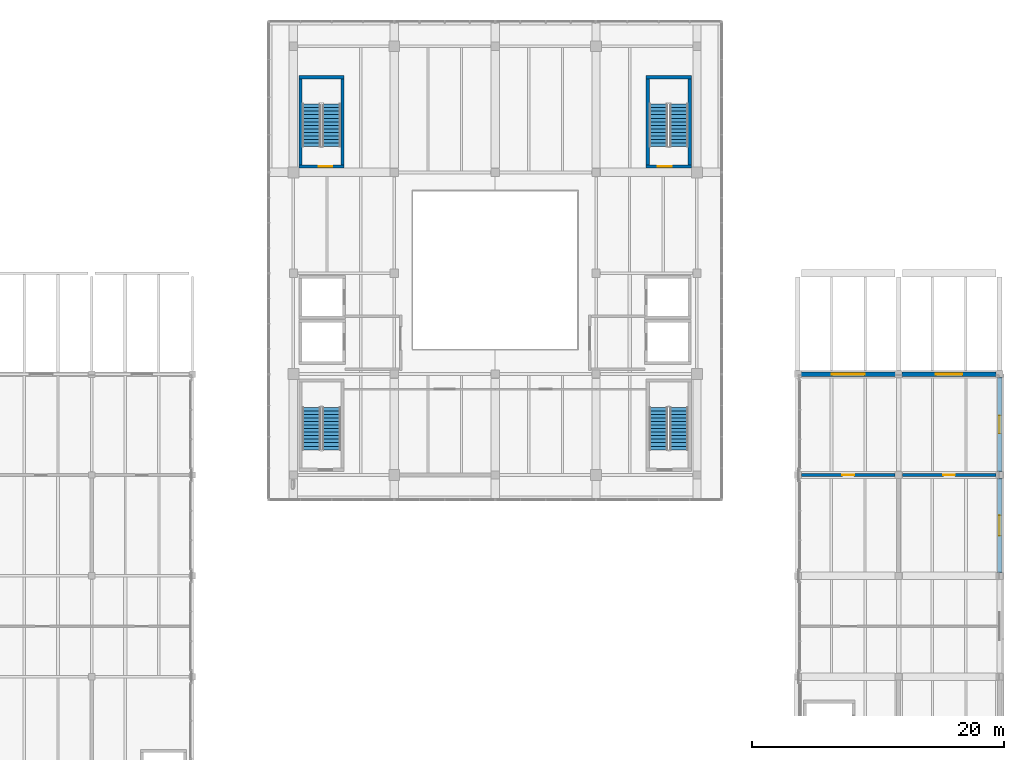
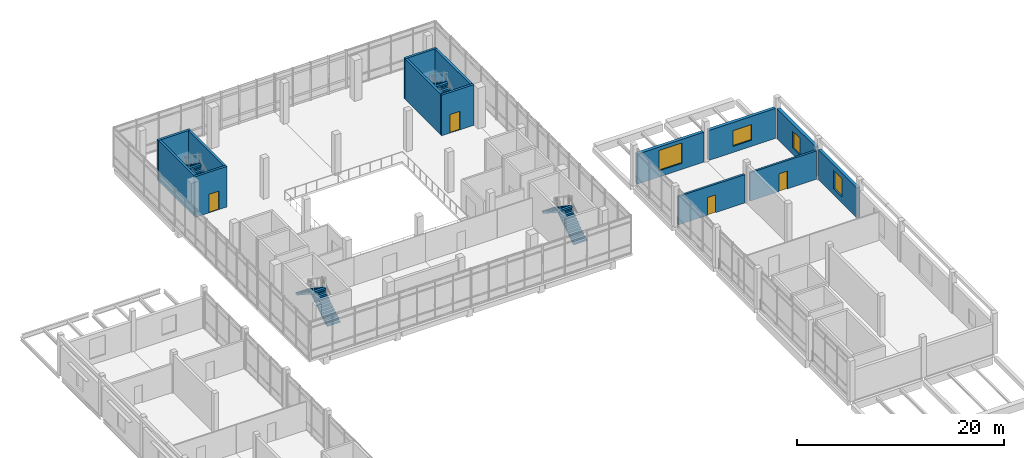
# One storey, part 22 of 28: 14 walls, 8 stair flights, 4 doors, 4 windows, 8 openings, 4 elements without a shape of their own.
"""IFC4 building model written with IfcOpenShell, lengths in metres."""

from ifc_helpers import new_model, si_unit, direction, frame, frame_2d, origin, place, context, subcontext, project, spatial, polyline, rectangle, outline, extrude, material, layer, layer_set, type_object, element, fill, aggregate, save


model = new_model("IFC4")

# Units and contexts
model_context = context("Model", 3, precision=1e-05, world=origin(), true_north=direction((0.0, 1.0)))
body_context = subcontext(model_context, "Body", "Model", "MODEL_VIEW")
ifc_project = project(units=[si_unit("LENGTHUNIT", "METRE"), si_unit("AREAUNIT", "SQUARE_METRE"), si_unit("VOLUMEUNIT", "CUBIC_METRE"), si_unit("PLANEANGLEUNIT", "RADIAN"), si_unit("MASSUNIT", "GRAM", prefix="KILO")], contexts=[model_context])

# Site, building, storey
site_placement = place(None, origin())
site = spatial("IfcSite", under=ifc_project, at=site_placement, CompositionType="ELEMENT")
building_placement = place(site_placement, origin())
building = spatial("IfcBuilding", under=site, at=building_placement, Name="Pecanmere Concourse Central Library", CompositionType="ELEMENT")
storey_placement = place(building_placement, frame((0.0, 0.0, 20.10009765625)))
storey = spatial("IfcBuildingStorey", under=building, at=storey_placement, Name="L05", CompositionType="ELEMENT", Elevation=20.10009765625)

# Wall, opening, window
ifc_material_1 = material(Name="Texas cream limestone ashlar masonry", Category="masonry")
ifc_layer_1 = layer(ifc_material_1, 0.35009765625, Name="EW_LIME_350")
ifc_layer_set_1 = layer_set([ifc_layer_1], Name="Texas cream limestone ashlar masonry")
wall_type_1 = type_object("IfcWallType", Name="EW_LIME_350", PredefinedType="STANDARD", material=ifc_layer_set_1)
wall_1_placement = place(storey_placement, frame((128.0, 82.27001953125, 0.0), z_axis=(0.0, 0.0, 1.0), x_axis=(0.0, 1.0, 0.0)))
wall_1 = element("IfcWall", 1, at=wall_1_placement, inside=storey, type_object=wall_type_1, Name="Limestone Facade Wall L05-0205", PredefinedType="STANDARD", context=body_context, shape_type="SweptSolid", body=[
    extrude(rectangle(XDim=7.4599609375, YDim=0.35009765625, at=frame_2d((3.72998046875, 0.0))), origin(), (0.0, 0.0, 1.0), 3.539794921875),
])
opening_1_placement = place(wall_1_placement, frame((2.929931640625, 0.0, 0.719970703125)))
opening_1 = element("IfcOpeningElement", 2, at=opening_1_placement, cuts=wall_1, Name="Opening WN-06", PredefinedType="OPENING", context=body_context, shape_type="SweptSolid", body=[
    extrude(rectangle(XDim=1.60009765625, YDim=2.199951171875, at=frame_2d((0.800048828125, 1.10009765625))), frame((0.0, 0.18701171875, 0.0), z_axis=(0.0, -1.0, 0.0), x_axis=(1.0, 0.0, 0.0)), (0.0, 0.0, 1.0), 0.3740234375),
])
ifc_material_2 = material(Name="Low-iron clear insulated glazing", Category="glass")
window_type_1 = type_object("IfcWindowType", Name="WIN_1600x2200", PartitioningType="SINGLE_PANEL", PredefinedType="WINDOW", material=ifc_material_2)
window_1_placement = place(opening_1_placement, origin())
window_1 = element("IfcWindow", 3, at=window_1_placement, inside=storey, type_object=window_type_1, Name="WN-174", OverallHeight=2.199951171875, OverallWidth=1.60009765625, PartitioningType="SINGLE_PANEL", PredefinedType="WINDOW", context=body_context, shape_type="SweptSolid", body=[
    extrude(rectangle(XDim=1.60009765625, YDim=2.199951171875, at=frame_2d((0.800048828125, 1.10009765625))), frame((0.0, 0.030029296875, 0.0), z_axis=(0.0, -1.0, 0.0), x_axis=(1.0, 0.0, 0.0)), (0.0, 0.0, 1.0), 0.06005859375),
])
fill(opening_1, window_1)

wall_2_placement = place(storey_placement, frame((128.0, 90.27001953125, 0.0), z_axis=(0.0, 0.0, 1.0), x_axis=(0.0, 1.0, 0.0)))
wall_2 = element("IfcWall", 4, at=wall_2_placement, inside=storey, type_object=wall_type_1, Name="Limestone Facade Wall L05-0207", PredefinedType="STANDARD", context=body_context, shape_type="SweptSolid", body=[
    extrude(rectangle(XDim=7.4599609375, YDim=0.35009765625, at=frame_2d((3.72998046875, 0.0))), origin(), (0.0, 0.0, 1.0), 3.539794921875),
])
opening_2_placement = place(wall_2_placement, frame((3.030029296875, 0.0, 0.719970703125)))
opening_2 = element("IfcOpeningElement", 5, at=opening_2_placement, cuts=wall_2, Name="Opening WN-10", PredefinedType="OPENING", context=body_context, shape_type="SweptSolid", body=[
    extrude(rectangle(XDim=1.39990234375, YDim=2.0, at=frame_2d((0.699951171875, 1.0))), frame((0.0, 0.18701171875, 0.0), z_axis=(0.0, -1.0, 0.0), x_axis=(1.0, 0.0, 0.0)), (0.0, 0.0, 1.0), 0.3740234375),
])
ifc_material_3 = material(Name="Low-iron clear insulated glazing", Category="glass")
window_type_2 = type_object("IfcWindowType", Name="WIN_1400x2000", PartitioningType="SINGLE_PANEL", PredefinedType="WINDOW", material=ifc_material_3)
window_2_placement = place(opening_2_placement, origin())
window_2 = element("IfcWindow", 6, at=window_2_placement, inside=storey, type_object=window_type_2, Name="WN-176", OverallHeight=2.0, OverallWidth=1.39990234375, PartitioningType="SINGLE_PANEL", PredefinedType="WINDOW", context=body_context, shape_type="SweptSolid", body=[
    extrude(rectangle(XDim=1.39990234375, YDim=2.0, at=frame_2d((0.699951171875, 1.0))), frame((0.0, 0.030029296875, 0.0), z_axis=(0.0, -1.0, 0.0), x_axis=(1.0, 0.0, 0.0)), (0.0, 0.0, 1.0), 0.06005859375),
])
fill(opening_2, window_2)

wall_3_placement = place(storey_placement, frame((119.72998046875, 98.0, 0.0), z_axis=(0.0, 0.0, 1.0), x_axis=(-1.0, 0.0, 0.0)))
wall_3 = element("IfcWall", 7, at=wall_3_placement, inside=storey, type_object=wall_type_1, Name="Limestone Facade Wall L05-0210", PredefinedType="STANDARD", context=body_context, shape_type="SweptSolid", body=[
    extrude(rectangle(XDim=7.4599609375, YDim=0.35009765625, at=frame_2d((3.72998046875, 0.0))), origin(), (0.0, 0.0, 1.0), 3.539794921875),
])
opening_3_placement = place(wall_3_placement, frame((2.429931640625, 0.0, 0.719970703125)))
opening_3 = element("IfcOpeningElement", 8, at=opening_3_placement, cuts=wall_3, Name="Opening WN-15", PredefinedType="OPENING", context=body_context, shape_type="SweptSolid", body=[
    extrude(rectangle(XDim=2.60009765625, YDim=2.39990234375, at=frame_2d((1.300048828125, 1.199951171875))), frame((0.0, 0.18701171875, 0.0), z_axis=(0.0, -1.0, 0.0), x_axis=(1.0, 0.0, 0.0)), (0.0, 0.0, 1.0), 0.3740234375),
])
ifc_material_4 = material(Name="Low-iron clear insulated glazing", Category="glass")
window_type_3 = type_object("IfcWindowType", Name="WIN_2600x2400", PartitioningType="SINGLE_PANEL", PredefinedType="WINDOW", material=ifc_material_4)
window_3_placement = place(opening_3_placement, origin())
window_3 = element("IfcWindow", 9, at=window_3_placement, inside=storey, type_object=window_type_3, Name="WN-178", OverallHeight=2.39990234375, OverallWidth=2.60009765625, PartitioningType="SINGLE_PANEL", PredefinedType="WINDOW", context=body_context, shape_type="SweptSolid", body=[
    extrude(rectangle(XDim=2.60009765625, YDim=2.39990234375, at=frame_2d((1.300048828125, 1.199951171875))), frame((0.0, 0.030029296875, 0.0), z_axis=(0.0, -1.0, 0.0), x_axis=(1.0, 0.0, 0.0)), (0.0, 0.0, 1.0), 0.06005859375),
])
fill(opening_3, window_3)

wall_4_placement = place(storey_placement, frame((127.72998046875, 98.0, 0.0), z_axis=(0.0, 0.0, 1.0), x_axis=(-1.0, 0.0, 0.0)))
wall_4 = element("IfcWall", 10, at=wall_4_placement, inside=storey, type_object=wall_type_1, Name="Limestone Facade Wall L05-0212", PredefinedType="STANDARD", context=body_context, shape_type="SweptSolid", body=[
    extrude(rectangle(XDim=7.4599609375, YDim=0.35009765625, at=frame_2d((3.72998046875, 0.0))), origin(), (0.0, 0.0, 1.0), 3.539794921875),
])
opening_4_placement = place(wall_4_placement, frame((2.679931640625, 0.0, 0.719970703125)))
opening_4 = element("IfcOpeningElement", 11, at=opening_4_placement, cuts=wall_4, Name="Opening WN-18", PredefinedType="OPENING", context=body_context, shape_type="SweptSolid", body=[
    extrude(rectangle(XDim=2.10009765625, YDim=1.85009765625, at=frame_2d((1.050048828125, 0.925048828125))), frame((0.0, 0.18701171875, 0.0), z_axis=(0.0, -1.0, 0.0), x_axis=(1.0, 0.0, 0.0)), (0.0, 0.0, 1.0), 0.3740234375),
])
ifc_material_5 = material(Name="Low-iron clear insulated glazing", Category="glass")
window_type_4 = type_object("IfcWindowType", Name="WIN_2100x1850", PartitioningType="SINGLE_PANEL", PredefinedType="WINDOW", material=ifc_material_5)
window_4_placement = place(opening_4_placement, origin())
window_4 = element("IfcWindow", 12, at=window_4_placement, inside=storey, type_object=window_type_4, Name="WN-179", OverallHeight=1.85009765625, OverallWidth=2.10009765625, PartitioningType="SINGLE_PANEL", PredefinedType="WINDOW", context=body_context, shape_type="SweptSolid", body=[
    extrude(rectangle(XDim=2.10009765625, YDim=1.85009765625, at=frame_2d((1.050048828125, 0.925048828125))), frame((0.0, 0.030029296875, 0.0), z_axis=(0.0, -1.0, 0.0), x_axis=(1.0, 0.0, 0.0)), (0.0, 0.0, 1.0), 0.06005859375),
])
fill(opening_4, window_4)

# Wall, opening, door
ifc_material_6 = material(Name="Concrete masonry unit ASTM C90", Category="masonry")
ifc_layer_2 = layer(ifc_material_6, 0.22509765625, Name="IW_PLUMB_225")
ifc_layer_set_2 = layer_set([ifc_layer_2], Name="Concrete masonry unit ASTM C90")
wall_type_2 = type_object("IfcWallType", Name="IW_PLUMB_225", PredefinedType="PARTITIONING", material=ifc_layer_set_2)
wall_5_placement = place(storey_placement, frame((112.284912109375, 90.0, 0.0), z_axis=(0.0, 0.0, 1.0), x_axis=(1.0, 0.0, 0.0)))
wall_5 = element("IfcWall", 13, at=wall_5_placement, inside=storey, type_object=wall_type_2, Name="Interior Partition L05-0208", PredefinedType="PARTITIONING", context=body_context, shape_type="SweptSolid", body=[
    extrude(rectangle(XDim=7.43017578125, YDim=0.22509765625, at=frame_2d((3.715087890625, 0.0))), origin(), (0.0, 0.0, 1.0), 3.349853515625),
])
opening_5_placement = place(wall_5_placement, frame((3.2548828125, 0.0, 0.0)))
opening_5 = element("IfcOpeningElement", 14, at=opening_5_placement, cuts=wall_5, Name="Opening DT-07", PredefinedType="OPENING", context=body_context, shape_type="SweptSolid", body=[
    extrude(rectangle(XDim=0.919921875, YDim=2.10009765625, at=frame_2d((0.4599609375, 1.050048828125))), frame((0.0, 0.12451171875, 0.0), z_axis=(0.0, -1.0, 0.0), x_axis=(1.0, 0.0, 0.0)), (0.0, 0.0, 1.0), 0.2490234375),
])
ifc_material_7 = material(Name="Solid white oak architectural joinery")
door_type_1 = type_object("IfcDoorType", Name="DT-07", OperationType="SINGLE_SWING_LEFT", PredefinedType="DOOR", material=ifc_material_7)
door_1_placement = place(opening_5_placement, frame((0.919921875, 0.0, 0.0), z_axis=(0.0, 0.0, 1.0), x_axis=(-1.0, 0.0, 0.0)))
door_1 = element("IfcDoor", 15, at=door_1_placement, inside=storey, type_object=door_type_1, Name="D-229", OperationType="SINGLE_SWING_LEFT", OverallHeight=2.10009765625, OverallWidth=0.919921875, PredefinedType="DOOR", context=body_context, shape_type="SweptSolid", body=[
    extrude(rectangle(XDim=0.919921875, YDim=2.10009765625, at=frame_2d((0.4599609375, 1.050048828125))), frame((0.0, 0.02490234375, 0.0), z_axis=(0.0, -1.0, 0.0), x_axis=(1.0, 0.0, 0.0)), (0.0, 0.0, 1.0), 0.050048828125),
])
fill(opening_5, door_1)

wall_6_placement = place(storey_placement, frame((120.284912109375, 90.0, 0.0), z_axis=(0.0, 0.0, 1.0), x_axis=(1.0, 0.0, 0.0)))
wall_6 = element("IfcWall", 16, at=wall_6_placement, inside=storey, type_object=wall_type_2, Name="Interior Partition L05-0209", PredefinedType="PARTITIONING", context=body_context, shape_type="SweptSolid", body=[
    extrude(rectangle(XDim=7.43017578125, YDim=0.22509765625, at=frame_2d((3.715087890625, 0.0))), origin(), (0.0, 0.0, 1.0), 3.349853515625),
])
opening_6_placement = place(wall_6_placement, frame((3.2548828125, 0.0, 0.0)))
opening_6 = element("IfcOpeningElement", 17, at=opening_6_placement, cuts=wall_6, Name="Opening DT-08", PredefinedType="OPENING", context=body_context, shape_type="SweptSolid", body=[
    extrude(rectangle(XDim=0.919921875, YDim=2.10009765625, at=frame_2d((0.4599609375, 1.050048828125))), frame((0.0, 0.12451171875, 0.0), z_axis=(0.0, -1.0, 0.0), x_axis=(1.0, 0.0, 0.0)), (0.0, 0.0, 1.0), 0.2490234375),
])
ifc_material_8 = material(Name="Solid white oak architectural joinery")
door_type_2 = type_object("IfcDoorType", Name="DT-08", OperationType="SINGLE_SWING_RIGHT", PredefinedType="DOOR", material=ifc_material_8)
door_2_placement = place(opening_6_placement, origin())
door_2 = element("IfcDoor", 18, at=door_2_placement, inside=storey, type_object=door_type_2, Name="D-230", OperationType="SINGLE_SWING_RIGHT", OverallHeight=2.10009765625, OverallWidth=0.919921875, PredefinedType="DOOR", context=body_context, shape_type="SweptSolid", body=[
    extrude(rectangle(XDim=0.919921875, YDim=2.10009765625, at=frame_2d((0.4599609375, 1.050048828125))), frame((0.0, 0.02490234375, 0.0), z_axis=(0.0, -1.0, 0.0), x_axis=(1.0, 0.0, 0.0)), (0.0, 0.0, 1.0), 0.050048828125),
])
fill(opening_6, door_2)

ifc_material_9 = material(Name="Concrete C40/50", Category="concrete")
ifc_layer_3 = layer(ifc_material_9, 0.260009765625, Name="WALL_SLD_260")
ifc_layer_set_3 = layer_set([ifc_layer_3], Name="Concrete C40/50")
wall_type_3 = type_object("IfcWallType", Name="WALL_SLD_260", PredefinedType="SOLIDWALL", material=ifc_layer_set_3)
wall_7_placement = place(storey_placement, frame((72.43994140625, 114.469970703125, 0.0), z_axis=(0.0, 0.0, 1.0), x_axis=(1.0, 0.0, 0.0)))
wall_7 = element("IfcWall", 19, at=wall_7_placement, inside=storey, type_object=wall_type_3, Name="Core C3 South Wall L05", PredefinedType="SOLIDWALL", context=body_context, shape_type="SweptSolid", body=[
    extrude(rectangle(XDim=3.580078125, YDim=0.260009765625, at=frame_2d((1.7900390625, 0.0))), origin(), (0.0, 0.0, 1.0), 4.7998046875),
])
opening_7_placement = place(wall_7_placement, frame((1.56005859375, 0.0, 0.0)))
opening_7 = element("IfcOpeningElement", 20, at=opening_7_placement, cuts=wall_7, Name="Opening FD-01", PredefinedType="OPENING", context=body_context, shape_type="SweptSolid", body=[
    extrude(rectangle(XDim=1.10009765625, YDim=2.199951171875, at=frame_2d((0.550048828125, 1.10009765625))), frame((0.0, 0.14208984375, 0.0), z_axis=(0.0, -1.0, 0.0), x_axis=(1.0, 0.0, 0.0)), (0.0, 0.0, 1.0), 0.283935546875),
])
ifc_material_10 = material(Name="Painted architectural steel ASTM A36", Category="steel")
door_type_3 = type_object("IfcDoorType", Name="FD-01", OperationType="SINGLE_SWING_LEFT", PredefinedType="DOOR", material=ifc_material_10)
door_3_placement = place(opening_7_placement, origin())
door_3 = element("IfcDoor", 21, at=door_3_placement, inside=storey, type_object=door_type_3, Name="D-022", OperationType="SINGLE_SWING_LEFT", OverallHeight=2.199951171875, OverallWidth=1.10009765625, PredefinedType="DOOR", context=body_context, shape_type="SweptSolid", body=[
    extrude(rectangle(XDim=1.10009765625, YDim=2.199951171875, at=frame_2d((0.550048828125, 1.10009765625))), frame((0.0, 0.02490234375, 0.0), z_axis=(0.0, -1.0, 0.0), x_axis=(1.0, 0.0, 0.0)), (0.0, 0.0, 1.0), 0.050048828125),
])
fill(opening_7, door_3)

# Walls
wall_8_placement = place(storey_placement, frame((72.43994140625, 121.550048828125, 0.0), z_axis=(0.0, 0.0, 1.0), x_axis=(1.0, 0.0, 0.0)))
element("IfcWall", 22, at=wall_8_placement, inside=storey, type_object=wall_type_3, Name="Core C3 North Wall L05", PredefinedType="SOLIDWALL", context=body_context, shape_type="SweptSolid", body=[
    extrude(rectangle(XDim=3.580078125, YDim=0.260009765625, at=frame_2d((1.7900390625, 0.0))), origin(), (0.0, 0.0, 1.0), 4.7998046875),
])
for number, where, z_axis, x_axis, name in (
    (23, (72.570068359375, 114.60009765625, 0.0), (0.0, 0.0, 1.0), (0.0, 1.0, 0.0), "Core C3 W Wall L05"),
    (24, (75.889892578125, 114.60009765625, 0.0), (0.0, 0.0, 1.0), (0.0, 1.0, 0.0), "Core C3 E Wall L05"),
):
    element("IfcWall", number, at=place(storey_placement, frame(where, z_axis=z_axis, x_axis=x_axis)), inside=storey, type_object=wall_type_3, Name=name, PredefinedType="SOLIDWALL", context=body_context, shape_type="SweptSolid", body=[
        extrude(rectangle(XDim=6.81982421875, YDim=0.260009765625, at=frame_2d((3.409912109375, 0.0))), origin(), (0.0, 0.0, 1.0), 4.7998046875),
    ])

# Wall, opening, door
wall_9_placement = place(storey_placement, frame((99.97998046875, 114.469970703125, 0.0), z_axis=(0.0, 0.0, 1.0), x_axis=(1.0, 0.0, 0.0)))
wall_9 = element("IfcWall", 25, at=wall_9_placement, inside=storey, type_object=wall_type_3, Name="Core C4 South Wall L05", PredefinedType="SOLIDWALL", context=body_context, shape_type="SweptSolid", body=[
    extrude(rectangle(XDim=3.580078125, YDim=0.260009765625, at=frame_2d((1.7900390625, 0.0))), origin(), (0.0, 0.0, 1.0), 4.7998046875),
])
opening_8_placement = place(wall_9_placement, frame((0.919921875, 0.0, 0.0)))
opening_8 = element("IfcOpeningElement", 26, at=opening_8_placement, cuts=wall_9, Name="Opening FD-02", PredefinedType="OPENING", context=body_context, shape_type="SweptSolid", body=[
    extrude(rectangle(XDim=1.10009765625, YDim=2.199951171875, at=frame_2d((0.550048828125, 1.10009765625))), frame((0.0, 0.14208984375, 0.0), z_axis=(0.0, -1.0, 0.0), x_axis=(1.0, 0.0, 0.0)), (0.0, 0.0, 1.0), 0.283935546875),
])
ifc_material_11 = material(Name="Painted architectural steel ASTM A36", Category="steel")
door_type_4 = type_object("IfcDoorType", Name="FD-02", OperationType="SINGLE_SWING_RIGHT", PredefinedType="DOOR", material=ifc_material_11)
door_4_placement = place(opening_8_placement, origin())
door_4 = element("IfcDoor", 27, at=door_4_placement, inside=storey, type_object=door_type_4, Name="D-030", OperationType="SINGLE_SWING_RIGHT", OverallHeight=2.199951171875, OverallWidth=1.10009765625, PredefinedType="DOOR", context=body_context, shape_type="SweptSolid", body=[
    extrude(rectangle(XDim=1.10009765625, YDim=2.199951171875, at=frame_2d((0.550048828125, 1.10009765625))), frame((0.0, 0.02490234375, 0.0), z_axis=(0.0, -1.0, 0.0), x_axis=(1.0, 0.0, 0.0)), (0.0, 0.0, 1.0), 0.050048828125),
])
fill(opening_8, door_4)

# Walls
wall_10_placement = place(storey_placement, frame((99.97998046875, 121.550048828125, 0.0), z_axis=(0.0, 0.0, 1.0), x_axis=(1.0, 0.0, 0.0)))
element("IfcWall", 28, at=wall_10_placement, inside=storey, type_object=wall_type_3, Name="Core C4 North Wall L05", PredefinedType="SOLIDWALL", context=body_context, shape_type="SweptSolid", body=[
    extrude(rectangle(XDim=3.580078125, YDim=0.260009765625, at=frame_2d((1.7900390625, 0.0))), origin(), (0.0, 0.0, 1.0), 4.7998046875),
])
for number, where, z_axis, x_axis, name in (
    (29, (100.110107421875, 114.60009765625, 0.0), (0.0, 0.0, 1.0), (0.0, 1.0, 0.0), "Core C4 W Wall L05"),
    (30, (103.429931640625, 114.60009765625, 0.0), (0.0, 0.0, 1.0), (0.0, 1.0, 0.0), "Core C4 E Wall L05"),
):
    element("IfcWall", number, at=place(storey_placement, frame(where, z_axis=z_axis, x_axis=x_axis)), inside=storey, type_object=wall_type_3, Name=name, PredefinedType="SOLIDWALL", context=body_context, shape_type="SweptSolid", body=[
        extrude(rectangle(XDim=6.81982421875, YDim=0.260009765625, at=frame_2d((3.409912109375, 0.0))), origin(), (0.0, 0.0, 1.0), 4.7998046875),
    ])

# Stair, stair flights
ifc_material_12 = material(Name="Concrete C35/45", Category="concrete")
stair_type_1 = type_object("IfcStairType", Name="STAIR_TYPE_ST-01-1846", PredefinedType="USERDEFINED", material=ifc_material_12)
stair_1_placement = place(storey_placement, origin())
stair_1 = element("IfcStair", 31, at=stair_1_placement, inside=storey, type_object=stair_type_1, Name="L05 Protected Stair ST-01", ObjectType="TWO_RETURN_STAIR", PredefinedType="USERDEFINED")
ifc_material_13 = material(Name="Concrete C35/45", Category="concrete")
stair_flight_type = type_object("IfcStairFlightType", Name="FLIGHT_TYPE_SFL-145-1846", PredefinedType="STRAIGHT", material=ifc_material_13)
stair_flight_1_placement = place(storey_placement, frame((75.034912109375, 92.0, 0.0), z_axis=(0.0, 0.0, 1.0), x_axis=(0.0, 1.0, 0.0)))
stair_flight_1 = element("IfcStairFlight", 32, at=stair_flight_1_placement, type_object=stair_flight_type, Name="ST-01-1846 flight 1", NumberOfRisers=13, NumberOfTreads=12, PredefinedType="STRAIGHT", RiserHeight=0.184615385, TreadLength=0.28, context=body_context, shape_type="SweptSolid", body=[
    extrude(outline(polyline([(0.0, 0.0), (0.0, 0.1845703125), (0.280029296875, 0.1845703125), (0.280029296875, 0.369140625), (0.56005859375, 0.369140625), (0.56005859375, 0.553955078125), (0.840087890625, 0.553955078125), (0.840087890625, 0.738525390625), (1.1201171875, 0.738525390625), (1.1201171875, 0.923095703125), (1.39990234375, 0.923095703125), (1.39990234375, 1.107666015625), (1.679931640625, 1.107666015625), (1.679931640625, 1.292236328125), (1.9599609375, 1.292236328125), (1.9599609375, 1.476806640625), (2.239990234375, 1.476806640625), (2.239990234375, 1.66162109375), (2.52001953125, 1.66162109375), (2.52001953125, 1.84619140625), (2.800048828125, 1.84619140625), (2.800048828125, 2.03076171875), (3.080078125, 2.03076171875), (3.080078125, 2.21533203125), (3.360107421875, 2.21533203125), (3.360107421875, 2.39990234375), (3.360107421875, 2.02392578125), (0.29052734375, 0.0), (0.0, 0.0)])), frame((0.0, 0.72509765625, 0.0), z_axis=(0.0, -1.0, 0.0), x_axis=(1.0, 0.0, 0.0)), (0.0, 0.0, 1.0), 1.449951171875),
])
stair_flight_2_placement = place(storey_placement, frame((73.425048828125, 95.360107421875, 2.39990234375), z_axis=(0.0, 0.0, 1.0), x_axis=(0.0, -1.0, 0.0)))
stair_flight_2 = element("IfcStairFlight", 33, at=stair_flight_2_placement, type_object=stair_flight_type, Name="ST-01-1846 flight 2", NumberOfRisers=13, NumberOfTreads=12, PredefinedType="STRAIGHT", RiserHeight=0.184615385, TreadLength=0.28, context=body_context, shape_type="SweptSolid", body=[
    extrude(outline(polyline([(0.0, 0.0), (0.0, 0.1845703125), (0.280029296875, 0.1845703125), (0.280029296875, 0.369140625), (0.56005859375, 0.369140625), (0.56005859375, 0.553955078125), (0.840087890625, 0.553955078125), (0.840087890625, 0.738525390625), (1.1201171875, 0.738525390625), (1.1201171875, 0.923095703125), (1.39990234375, 0.923095703125), (1.39990234375, 1.107666015625), (1.679931640625, 1.107666015625), (1.679931640625, 1.292236328125), (1.9599609375, 1.292236328125), (1.9599609375, 1.476806640625), (2.239990234375, 1.476806640625), (2.239990234375, 1.66162109375), (2.52001953125, 1.66162109375), (2.52001953125, 1.84619140625), (2.800048828125, 1.84619140625), (2.800048828125, 2.03076171875), (3.080078125, 2.03076171875), (3.080078125, 2.21533203125), (3.360107421875, 2.21533203125), (3.360107421875, 2.39990234375), (3.360107421875, 2.02392578125), (0.29052734375, 0.0), (0.0, 0.0)])), frame((0.0, 0.72509765625, 0.0), z_axis=(0.0, -1.0, 0.0), x_axis=(1.0, 0.0, 0.0)), (0.0, 0.0, 1.0), 1.449951171875),
])
aggregate(stair_1, [stair_flight_1, stair_flight_2])

ifc_material_14 = material(Name="Concrete C35/45", Category="concrete")
stair_type_2 = type_object("IfcStairType", Name="STAIR_TYPE_ST-02-1846", PredefinedType="USERDEFINED", material=ifc_material_14)
stair_2_placement = place(storey_placement, origin())
stair_2 = element("IfcStair", 34, at=stair_2_placement, inside=storey, type_object=stair_type_2, Name="L05 Protected Stair ST-02", ObjectType="TWO_RETURN_STAIR", PredefinedType="USERDEFINED")
stair_flight_3_placement = place(storey_placement, frame((102.574951171875, 92.0, 0.0), z_axis=(0.0, 0.0, 1.0), x_axis=(0.0, 1.0, 0.0)))
stair_flight_3 = element("IfcStairFlight", 35, at=stair_flight_3_placement, type_object=stair_flight_type, Name="ST-02-1846 flight 1", NumberOfRisers=13, NumberOfTreads=12, PredefinedType="STRAIGHT", RiserHeight=0.184615385, TreadLength=0.28, context=body_context, shape_type="SweptSolid", body=[
    extrude(outline(polyline([(0.0, 0.0), (0.0, 0.1845703125), (0.280029296875, 0.1845703125), (0.280029296875, 0.369140625), (0.56005859375, 0.369140625), (0.56005859375, 0.553955078125), (0.840087890625, 0.553955078125), (0.840087890625, 0.738525390625), (1.1201171875, 0.738525390625), (1.1201171875, 0.923095703125), (1.39990234375, 0.923095703125), (1.39990234375, 1.107666015625), (1.679931640625, 1.107666015625), (1.679931640625, 1.292236328125), (1.9599609375, 1.292236328125), (1.9599609375, 1.476806640625), (2.239990234375, 1.476806640625), (2.239990234375, 1.66162109375), (2.52001953125, 1.66162109375), (2.52001953125, 1.84619140625), (2.800048828125, 1.84619140625), (2.800048828125, 2.03076171875), (3.080078125, 2.03076171875), (3.080078125, 2.21533203125), (3.360107421875, 2.21533203125), (3.360107421875, 2.39990234375), (3.360107421875, 2.02392578125), (0.29052734375, 0.0), (0.0, 0.0)])), frame((0.0, 0.72509765625, 0.0), z_axis=(0.0, -1.0, 0.0), x_axis=(1.0, 0.0, 0.0)), (0.0, 0.0, 1.0), 1.449951171875),
])
stair_flight_4_placement = place(storey_placement, frame((100.965087890625, 95.360107421875, 2.39990234375), z_axis=(0.0, 0.0, 1.0), x_axis=(0.0, -1.0, 0.0)))
stair_flight_4 = element("IfcStairFlight", 36, at=stair_flight_4_placement, type_object=stair_flight_type, Name="ST-02-1846 flight 2", NumberOfRisers=13, NumberOfTreads=12, PredefinedType="STRAIGHT", RiserHeight=0.184615385, TreadLength=0.28, context=body_context, shape_type="SweptSolid", body=[
    extrude(outline(polyline([(0.0, 0.0), (0.0, 0.1845703125), (0.280029296875, 0.1845703125), (0.280029296875, 0.369140625), (0.56005859375, 0.369140625), (0.56005859375, 0.553955078125), (0.840087890625, 0.553955078125), (0.840087890625, 0.738525390625), (1.1201171875, 0.738525390625), (1.1201171875, 0.923095703125), (1.39990234375, 0.923095703125), (1.39990234375, 1.107666015625), (1.679931640625, 1.107666015625), (1.679931640625, 1.292236328125), (1.9599609375, 1.292236328125), (1.9599609375, 1.476806640625), (2.239990234375, 1.476806640625), (2.239990234375, 1.66162109375), (2.52001953125, 1.66162109375), (2.52001953125, 1.84619140625), (2.800048828125, 1.84619140625), (2.800048828125, 2.03076171875), (3.080078125, 2.03076171875), (3.080078125, 2.21533203125), (3.360107421875, 2.21533203125), (3.360107421875, 2.39990234375), (3.360107421875, 2.02392578125), (0.29052734375, 0.0), (0.0, 0.0)])), frame((0.0, 0.72509765625, 0.0), z_axis=(0.0, -1.0, 0.0), x_axis=(1.0, 0.0, 0.0)), (0.0, 0.0, 1.0), 1.449951171875),
])
aggregate(stair_2, [stair_flight_3, stair_flight_4])

ifc_material_15 = material(Name="Concrete C35/45", Category="concrete")
stair_type_3 = type_object("IfcStairType", Name="STAIR_TYPE_ST-03-1846", PredefinedType="USERDEFINED", material=ifc_material_15)
stair_3_placement = place(storey_placement, origin())
stair_3 = element("IfcStair", 37, at=stair_3_placement, inside=storey, type_object=stair_type_3, Name="L05 Protected Stair ST-03", ObjectType="TWO_RETURN_STAIR", PredefinedType="USERDEFINED")
stair_flight_5_placement = place(storey_placement, frame((75.034912109375, 116.050048828125, 0.0), z_axis=(0.0, 0.0, 1.0), x_axis=(0.0, 1.0, 0.0)))
stair_flight_5 = element("IfcStairFlight", 38, at=stair_flight_5_placement, type_object=stair_flight_type, Name="ST-03-1846 flight 1", NumberOfRisers=13, NumberOfTreads=12, PredefinedType="STRAIGHT", RiserHeight=0.184615385, TreadLength=0.28, context=body_context, shape_type="SweptSolid", body=[
    extrude(outline(polyline([(0.0, 0.0), (0.0, 0.1845703125), (0.280029296875, 0.1845703125), (0.280029296875, 0.369140625), (0.56005859375, 0.369140625), (0.56005859375, 0.553955078125), (0.840087890625, 0.553955078125), (0.840087890625, 0.738525390625), (1.1201171875, 0.738525390625), (1.1201171875, 0.923095703125), (1.39990234375, 0.923095703125), (1.39990234375, 1.107666015625), (1.679931640625, 1.107666015625), (1.679931640625, 1.292236328125), (1.9599609375, 1.292236328125), (1.9599609375, 1.476806640625), (2.239990234375, 1.476806640625), (2.239990234375, 1.66162109375), (2.52001953125, 1.66162109375), (2.52001953125, 1.84619140625), (2.800048828125, 1.84619140625), (2.800048828125, 2.03076171875), (3.080078125, 2.03076171875), (3.080078125, 2.21533203125), (3.360107421875, 2.21533203125), (3.360107421875, 2.39990234375), (3.360107421875, 2.02392578125), (0.29052734375, 0.0), (0.0, 0.0)])), frame((0.0, 0.72509765625, 0.0), z_axis=(0.0, -1.0, 0.0), x_axis=(1.0, 0.0, 0.0)), (0.0, 0.0, 1.0), 1.449951171875),
])
stair_flight_6_placement = place(storey_placement, frame((73.425048828125, 119.409912109375, 2.39990234375), z_axis=(0.0, 0.0, 1.0), x_axis=(0.0, -1.0, 0.0)))
stair_flight_6 = element("IfcStairFlight", 39, at=stair_flight_6_placement, type_object=stair_flight_type, Name="ST-03-1846 flight 2", NumberOfRisers=13, NumberOfTreads=12, PredefinedType="STRAIGHT", RiserHeight=0.184615385, TreadLength=0.28, context=body_context, shape_type="SweptSolid", body=[
    extrude(outline(polyline([(0.0, 0.0), (0.0, 0.1845703125), (0.280029296875, 0.1845703125), (0.280029296875, 0.369140625), (0.56005859375, 0.369140625), (0.56005859375, 0.553955078125), (0.840087890625, 0.553955078125), (0.840087890625, 0.738525390625), (1.1201171875, 0.738525390625), (1.1201171875, 0.923095703125), (1.39990234375, 0.923095703125), (1.39990234375, 1.107666015625), (1.679931640625, 1.107666015625), (1.679931640625, 1.292236328125), (1.9599609375, 1.292236328125), (1.9599609375, 1.476806640625), (2.239990234375, 1.476806640625), (2.239990234375, 1.66162109375), (2.52001953125, 1.66162109375), (2.52001953125, 1.84619140625), (2.800048828125, 1.84619140625), (2.800048828125, 2.03076171875), (3.080078125, 2.03076171875), (3.080078125, 2.21533203125), (3.360107421875, 2.21533203125), (3.360107421875, 2.39990234375), (3.360107421875, 2.02392578125), (0.29052734375, 0.0), (0.0, 0.0)])), frame((0.0, 0.72509765625, 0.0), z_axis=(0.0, -1.0, 0.0), x_axis=(1.0, 0.0, 0.0)), (0.0, 0.0, 1.0), 1.449951171875),
])
aggregate(stair_3, [stair_flight_5, stair_flight_6])

ifc_material_16 = material(Name="Concrete C35/45", Category="concrete")
stair_type_4 = type_object("IfcStairType", Name="STAIR_TYPE_ST-04-1846", PredefinedType="USERDEFINED", material=ifc_material_16)
stair_4_placement = place(storey_placement, origin())
stair_4 = element("IfcStair", 40, at=stair_4_placement, inside=storey, type_object=stair_type_4, Name="L05 Protected Stair ST-04", ObjectType="TWO_RETURN_STAIR", PredefinedType="USERDEFINED")
stair_flight_7_placement = place(storey_placement, frame((102.574951171875, 116.050048828125, 0.0), z_axis=(0.0, 0.0, 1.0), x_axis=(0.0, 1.0, 0.0)))
stair_flight_7 = element("IfcStairFlight", 41, at=stair_flight_7_placement, type_object=stair_flight_type, Name="ST-04-1846 flight 1", NumberOfRisers=13, NumberOfTreads=12, PredefinedType="STRAIGHT", RiserHeight=0.184615385, TreadLength=0.28, context=body_context, shape_type="SweptSolid", body=[
    extrude(outline(polyline([(0.0, 0.0), (0.0, 0.1845703125), (0.280029296875, 0.1845703125), (0.280029296875, 0.369140625), (0.56005859375, 0.369140625), (0.56005859375, 0.553955078125), (0.840087890625, 0.553955078125), (0.840087890625, 0.738525390625), (1.1201171875, 0.738525390625), (1.1201171875, 0.923095703125), (1.39990234375, 0.923095703125), (1.39990234375, 1.107666015625), (1.679931640625, 1.107666015625), (1.679931640625, 1.292236328125), (1.9599609375, 1.292236328125), (1.9599609375, 1.476806640625), (2.239990234375, 1.476806640625), (2.239990234375, 1.66162109375), (2.52001953125, 1.66162109375), (2.52001953125, 1.84619140625), (2.800048828125, 1.84619140625), (2.800048828125, 2.03076171875), (3.080078125, 2.03076171875), (3.080078125, 2.21533203125), (3.360107421875, 2.21533203125), (3.360107421875, 2.39990234375), (3.360107421875, 2.02392578125), (0.29052734375, 0.0), (0.0, 0.0)])), frame((0.0, 0.72509765625, 0.0), z_axis=(0.0, -1.0, 0.0), x_axis=(1.0, 0.0, 0.0)), (0.0, 0.0, 1.0), 1.449951171875),
])
stair_flight_8_placement = place(storey_placement, frame((100.965087890625, 119.409912109375, 2.39990234375), z_axis=(0.0, 0.0, 1.0), x_axis=(0.0, -1.0, 0.0)))
stair_flight_8 = element("IfcStairFlight", 42, at=stair_flight_8_placement, type_object=stair_flight_type, Name="ST-04-1846 flight 2", NumberOfRisers=13, NumberOfTreads=12, PredefinedType="STRAIGHT", RiserHeight=0.184615385, TreadLength=0.28, context=body_context, shape_type="SweptSolid", body=[
    extrude(outline(polyline([(0.0, 0.0), (0.0, 0.1845703125), (0.280029296875, 0.1845703125), (0.280029296875, 0.369140625), (0.56005859375, 0.369140625), (0.56005859375, 0.553955078125), (0.840087890625, 0.553955078125), (0.840087890625, 0.738525390625), (1.1201171875, 0.738525390625), (1.1201171875, 0.923095703125), (1.39990234375, 0.923095703125), (1.39990234375, 1.107666015625), (1.679931640625, 1.107666015625), (1.679931640625, 1.292236328125), (1.9599609375, 1.292236328125), (1.9599609375, 1.476806640625), (2.239990234375, 1.476806640625), (2.239990234375, 1.66162109375), (2.52001953125, 1.66162109375), (2.52001953125, 1.84619140625), (2.800048828125, 1.84619140625), (2.800048828125, 2.03076171875), (3.080078125, 2.03076171875), (3.080078125, 2.21533203125), (3.360107421875, 2.21533203125), (3.360107421875, 2.39990234375), (3.360107421875, 2.02392578125), (0.29052734375, 0.0), (0.0, 0.0)])), frame((0.0, 0.72509765625, 0.0), z_axis=(0.0, -1.0, 0.0), x_axis=(1.0, 0.0, 0.0)), (0.0, 0.0, 1.0), 1.449951171875),
])
aggregate(stair_4, [stair_flight_7, stair_flight_8])

save(model, "model.ifc")
